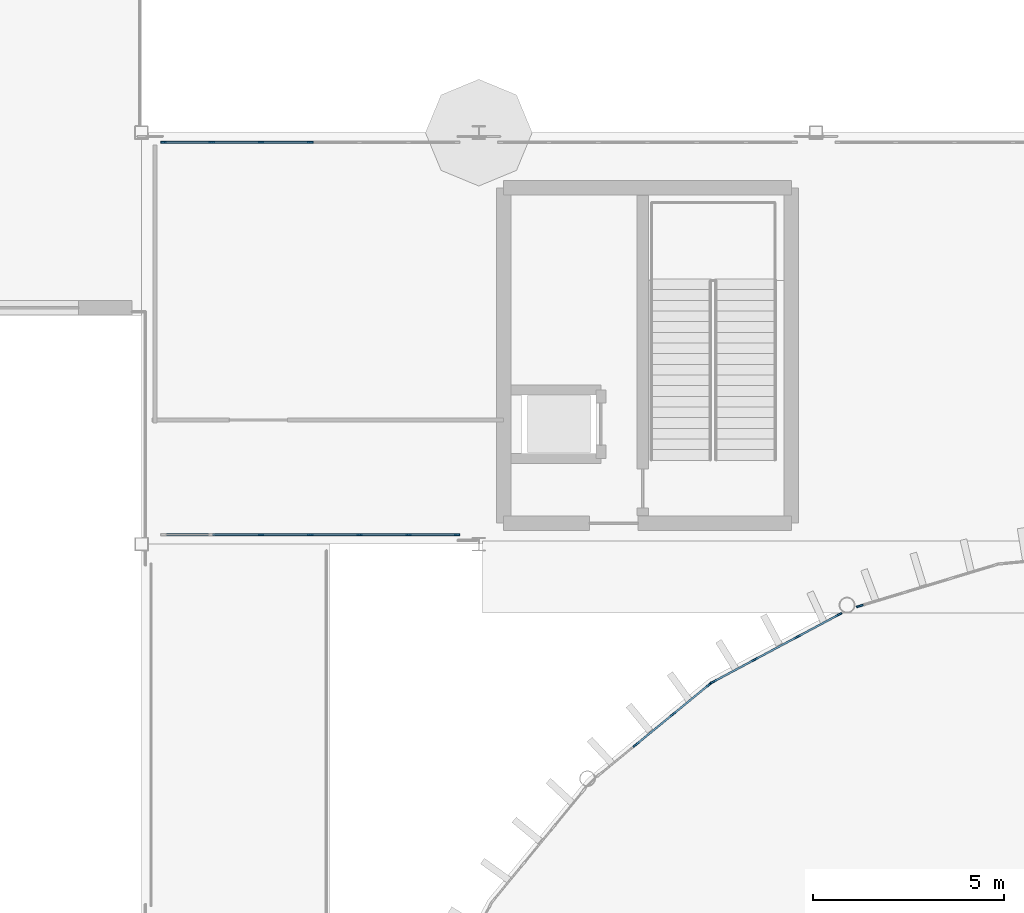
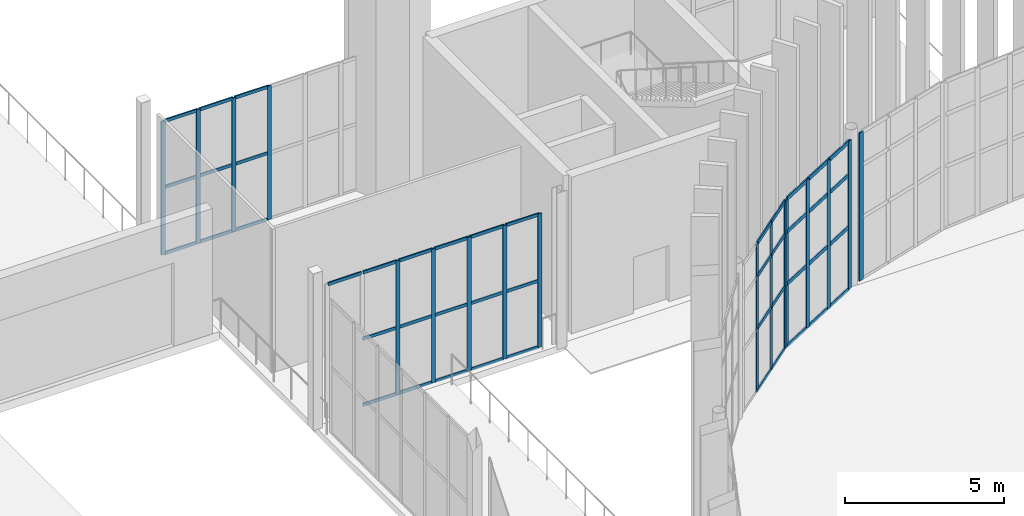
# One storey, part 45 of 139: 62 members, 5 elements without a shape of their own.
"""IFC4 building model written with IfcOpenShell, lengths in metres."""

from ifc_helpers import new_model, si_unit, direction, frame, origin, origin_2d, place, context, subcontext, project, spatial, rectangle, extrude, material, layer, layer_set, material_profile, profile_set, type_object, element, aggregate, save


model = new_model("IFC4")

# Units and contexts
model_context = context("Model", 3, precision=1e-05, world=origin(), true_north=direction((0.0, 1.0)))
body_context = subcontext(model_context, "Body", "Model", "MODEL_VIEW")
ifc_project = project(units=[si_unit("LENGTHUNIT", "METRE"), si_unit("AREAUNIT", "SQUARE_METRE"), si_unit("VOLUMEUNIT", "CUBIC_METRE"), si_unit("PLANEANGLEUNIT", "RADIAN"), si_unit("MASSUNIT", "GRAM", prefix="KILO")], contexts=[model_context])

# Site, building, storey
site_placement = place(None, origin())
site = spatial("IfcSite", under=ifc_project, at=site_placement, CompositionType="ELEMENT")
building_placement = place(site_placement, origin())
building = spatial("IfcBuilding", under=site, at=building_placement, Name="Yeouljin Market Hall", CompositionType="ELEMENT")
storey_placement = place(building_placement, origin())
storey = spatial("IfcBuildingStorey", under=building, at=storey_placement, Name="L00", CompositionType="ELEMENT", Elevation=0.0)

# Curtain wall, members
ifc_material_1 = material(Name="Thermally Broken Aluminium", Category="aluminium")
ifc_layer_1 = layer(ifc_material_1, 0.14990234375)
ifc_layer_set_1 = layer_set([ifc_layer_1], Name="Thermally Broken Aluminium")
curtain_wall_type_1 = type_object("IfcCurtainWallType", Name="CW_WingStorefront_System", PredefinedType="USERDEFINED", material=ifc_layer_set_1)
curtain_wall_1_placement = place(storey_placement, origin())
curtain_wall_1 = element("IfcCurtainWall", 1, at=curtain_wall_1_placement, inside=storey, type_object=curtain_wall_type_1, Name="Curtain wall CW-CRT-L00-01", ObjectType="CURTAIN WALL", PredefinedType="USERDEFINED")
ifc_material_2 = material(Name="Thermally Broken Aluminium", Category="aluminium")
ifc_material_profile_1 = material_profile(ifc_material_2, rectangle(XDim=0.048095703125, YDim=0.14990234375, at=origin_2d()), Name="CW-MULL-48x150")
ifc_profile_set_1 = profile_set([ifc_material_profile_1], Name="Thermally Broken Aluminium")
member_type_1 = type_object("IfcMemberType", Name="CWMullion_48x150", PredefinedType="MULLION", material=ifc_profile_set_1)
member_1_placement = place(storey_placement, frame((9.424072265625, 88.550048828125, 0.0), z_axis=(0.0, 0.0, 1.0), x_axis=(0.0, 1.0, 0.0)))
member_1 = element("IfcMember", 2, at=member_1_placement, type_object=member_type_1, Name="CW-04 mullion 1", PredefinedType="MULLION", context=body_context, shape_type="SweptSolid", body=[
    extrude(rectangle(XDim=0.048095703125, YDim=0.14990234375, at=origin_2d()), origin(), (0.0, 0.0, 1.0), 5.1201171875),
])
member_2_placement = place(storey_placement, frame((10.691650390625, 88.550048828125, 0.0), z_axis=(0.0, 0.0, 1.0), x_axis=(0.0, 1.0, 0.0)))
member_2 = element("IfcMember", 3, at=member_2_placement, type_object=member_type_1, Name="CW-04 mullion 2", PredefinedType="MULLION", context=body_context, shape_type="SweptSolid", body=[
    extrude(rectangle(XDim=0.048095703125, YDim=0.14990234375, at=origin_2d()), origin(), (0.0, 0.0, 1.0), 5.1201171875),
])
member_3_placement = place(storey_placement, frame((11.9833984375, 88.550048828125, 0.0), z_axis=(0.0, 0.0, 1.0), x_axis=(0.0, 1.0, 0.0)))
member_3 = element("IfcMember", 4, at=member_3_placement, type_object=member_type_1, Name="CW-04 mullion 3", PredefinedType="MULLION", context=body_context, shape_type="SweptSolid", body=[
    extrude(rectangle(XDim=0.048095703125, YDim=0.14990234375, at=origin_2d()), origin(), (0.0, 0.0, 1.0), 5.1201171875),
])
member_4_placement = place(storey_placement, frame((13.27490234375, 88.550048828125, 0.0), z_axis=(0.0, 0.0, 1.0), x_axis=(0.0, 1.0, 0.0)))
member_4 = element("IfcMember", 5, at=member_4_placement, type_object=member_type_1, Name="CW-04 mullion 4", PredefinedType="MULLION", context=body_context, shape_type="SweptSolid", body=[
    extrude(rectangle(XDim=0.048095703125, YDim=0.14990234375, at=origin_2d()), origin(), (0.0, 0.0, 1.0), 5.1201171875),
])

curtain_wall_2_placement = place(storey_placement, origin())
curtain_wall_2 = element("IfcCurtainWall", 6, at=curtain_wall_2_placement, inside=storey, type_object=curtain_wall_type_1, Name="Curtain wall CW-CRT-L00-04", ObjectType="CURTAIN WALL", PredefinedType="USERDEFINED")
member_5_placement = place(storey_placement, frame((17.1259765625, 78.25, 0.0), z_axis=(0.0, 0.0, 1.0), x_axis=(0.0, -1.0, 0.0)))
member_5 = element("IfcMember", 7, at=member_5_placement, type_object=member_type_1, Name="CW-04 mullion 1", PredefinedType="MULLION", context=body_context, shape_type="SweptSolid", body=[
    extrude(rectangle(XDim=0.048095703125, YDim=0.14990234375, at=origin_2d()), origin(), (0.0, 0.0, 1.0), 5.1201171875),
])
member_6_placement = place(storey_placement, frame((15.8583984375, 78.25, 0.0), z_axis=(0.0, 0.0, 1.0), x_axis=(0.0, -1.0, 0.0)))
member_6 = element("IfcMember", 8, at=member_6_placement, type_object=member_type_1, Name="CW-04 mullion 2", PredefinedType="MULLION", context=body_context, shape_type="SweptSolid", body=[
    extrude(rectangle(XDim=0.048095703125, YDim=0.14990234375, at=origin_2d()), origin(), (0.0, 0.0, 1.0), 5.1201171875),
])
member_7_placement = place(storey_placement, frame((14.566650390625, 78.25, 0.0), z_axis=(0.0, 0.0, 1.0), x_axis=(0.0, -1.0, 0.0)))
member_7 = element("IfcMember", 9, at=member_7_placement, type_object=member_type_1, Name="CW-04 mullion 3", PredefinedType="MULLION", context=body_context, shape_type="SweptSolid", body=[
    extrude(rectangle(XDim=0.048095703125, YDim=0.14990234375, at=origin_2d()), origin(), (0.0, 0.0, 1.0), 5.1201171875),
])
member_8_placement = place(storey_placement, frame((13.27490234375, 78.25, 0.0), z_axis=(0.0, 0.0, 1.0), x_axis=(0.0, -1.0, 0.0)))
member_8 = element("IfcMember", 10, at=member_8_placement, type_object=member_type_1, Name="CW-04 mullion 4", PredefinedType="MULLION", context=body_context, shape_type="SweptSolid", body=[
    extrude(rectangle(XDim=0.048095703125, YDim=0.14990234375, at=origin_2d()), origin(), (0.0, 0.0, 1.0), 5.1201171875),
])
member_9_placement = place(storey_placement, frame((11.9833984375, 78.25, 0.0), z_axis=(0.0, 0.0, 1.0), x_axis=(0.0, -1.0, 0.0)))
member_9 = element("IfcMember", 11, at=member_9_placement, type_object=member_type_1, Name="CW-04 mullion 5", PredefinedType="MULLION", context=body_context, shape_type="SweptSolid", body=[
    extrude(rectangle(XDim=0.048095703125, YDim=0.14990234375, at=origin_2d()), origin(), (0.0, 0.0, 1.0), 5.1201171875),
])

ifc_material_3 = material(Name="Thermally Broken Aluminium", Category="aluminium")
ifc_layer_2 = layer(ifc_material_3, 0.179931640625)
ifc_layer_set_2 = layer_set([ifc_layer_2], Name="Thermally Broken Aluminium")
curtain_wall_type_2 = type_object("IfcCurtainWallType", Name="CW_ApseCurved_System", PredefinedType="USERDEFINED", material=ifc_layer_set_2)
curtain_wall_3_placement = place(storey_placement, origin())
curtain_wall_3 = element("IfcCurtainWall", 12, at=curtain_wall_3_placement, inside=storey, type_object=curtain_wall_type_2, Name="Curtain wall CW-AP-WL00-13", ObjectType="CURTAIN WALL", PredefinedType="USERDEFINED")
ifc_material_4 = material(Name="Thermally Broken Aluminium", Category="aluminium")
ifc_material_profile_2 = material_profile(ifc_material_4, rectangle(XDim=0.048095703125, YDim=0.179931640625, at=origin_2d()), Name="CW-MULL-48x180")
ifc_profile_set_2 = profile_set([ifc_material_profile_2], Name="Thermally Broken Aluminium")
member_type_2 = type_object("IfcMemberType", Name="CWMullion_48x180", PredefinedType="MULLION", material=ifc_profile_set_2)
member_10_placement = place(storey_placement, frame((21.82421875, 72.739990234375, 0.0), z_axis=(0.0, 0.0, 1.0), x_axis=(-0.634384432096, 0.773017717982, 0.0)))
member_10 = element("IfcMember", 13, at=member_10_placement, type_object=member_type_2, Name="CW-03 mullion 2", PredefinedType="MULLION", context=body_context, shape_type="SweptSolid", body=[
    extrude(rectangle(XDim=0.048095703125, YDim=0.179931640625, at=origin_2d()), origin(), (0.0, 0.0, 1.0), 5.679931640625),
])
member_11_placement = place(storey_placement, frame((22.796630859375, 73.537841796875, 0.0), z_axis=(0.0, 0.0, 1.0), x_axis=(-0.634384432096, 0.773017717982, 0.0)))
member_11 = element("IfcMember", 14, at=member_11_placement, type_object=member_type_2, Name="CW-03 mullion 3", PredefinedType="MULLION", context=body_context, shape_type="SweptSolid", body=[
    extrude(rectangle(XDim=0.048095703125, YDim=0.179931640625, at=origin_2d()), origin(), (0.0, 0.0, 1.0), 5.679931640625),
])
member_12_placement = place(storey_placement, frame((23.750244140625, 74.320556640625, 0.0), z_axis=(0.0, 0.0, 1.0), x_axis=(-0.634384432096, 0.773017717982, 0.0)))
member_12 = element("IfcMember", 15, at=member_12_placement, type_object=member_type_2, Name="CW-03 mullion 4", PredefinedType="MULLION", context=body_context, shape_type="SweptSolid", body=[
    extrude(rectangle(XDim=0.048095703125, YDim=0.179931640625, at=origin_2d()), origin(), (0.0, 0.0, 1.0), 5.679931640625),
])

curtain_wall_4_placement = place(storey_placement, origin())
curtain_wall_4 = element("IfcCurtainWall", 16, at=curtain_wall_4_placement, inside=storey, type_object=curtain_wall_type_2, Name="Curtain wall CW-AP-WL00-14", ObjectType="CURTAIN WALL", PredefinedType="USERDEFINED")
member_13_placement = place(storey_placement, frame((23.856201171875, 74.391357421875, 0.0), z_axis=(0.0, 0.0, 1.0), x_axis=(-0.471377626598, 0.881931478712, 0.0)))
member_13 = element("IfcMember", 17, at=member_13_placement, type_object=member_type_2, Name="CW-03 mullion 1", PredefinedType="MULLION", context=body_context, shape_type="SweptSolid", body=[
    extrude(rectangle(XDim=0.048095703125, YDim=0.179931640625, at=origin_2d()), origin(), (0.0, 0.0, 1.0), 5.679931640625),
])
member_14_placement = place(storey_placement, frame((24.9443359375, 74.972900390625, 0.0), z_axis=(0.0, 0.0, 1.0), x_axis=(-0.471377626598, 0.881931478712, 0.0)))
member_14 = element("IfcMember", 18, at=member_14_placement, type_object=member_type_2, Name="CW-03 mullion 2", PredefinedType="MULLION", context=body_context, shape_type="SweptSolid", body=[
    extrude(rectangle(XDim=0.048095703125, YDim=0.179931640625, at=origin_2d()), origin(), (0.0, 0.0, 1.0), 5.679931640625),
])
member_15_placement = place(storey_placement, frame((26.053466796875, 75.565673828125, 0.0), z_axis=(0.0, 0.0, 1.0), x_axis=(-0.471377626598, 0.881931478712, 0.0)))
member_15 = element("IfcMember", 19, at=member_15_placement, type_object=member_type_2, Name="CW-03 mullion 3", PredefinedType="MULLION", context=body_context, shape_type="SweptSolid", body=[
    extrude(rectangle(XDim=0.048095703125, YDim=0.179931640625, at=origin_2d()), origin(), (0.0, 0.0, 1.0), 5.679931640625),
])
member_16_placement = place(storey_placement, frame((27.1416015625, 76.147216796875, 0.0), z_axis=(0.0, 0.0, 1.0), x_axis=(-0.471377626598, 0.881931478712, 0.0)))
member_16 = element("IfcMember", 20, at=member_16_placement, type_object=member_type_2, Name="CW-03 mullion 4", PredefinedType="MULLION", context=body_context, shape_type="SweptSolid", body=[
    extrude(rectangle(XDim=0.048095703125, YDim=0.179931640625, at=origin_2d()), origin(), (0.0, 0.0, 1.0), 5.679931640625),
])

# Curtain wall, member
curtain_wall_5_placement = place(storey_placement, origin())
curtain_wall_5 = element("IfcCurtainWall", 21, at=curtain_wall_5_placement, inside=storey, type_object=curtain_wall_type_2, Name="Curtain wall CW-AP-WL00-15", ObjectType="CURTAIN WALL", PredefinedType="USERDEFINED")
member_17_placement = place(storey_placement, frame((27.700439453125, 76.37890625, 0.0), z_axis=(0.0, 0.0, 1.0), x_axis=(-0.290286164863, 0.95693988447, 0.0)))
member_17 = element("IfcMember", 22, at=member_17_placement, type_object=member_type_2, Name="CW-03 mullion 1", PredefinedType="MULLION", context=body_context, shape_type="SweptSolid", body=[
    extrude(rectangle(XDim=0.048095703125, YDim=0.179931640625, at=origin_2d()), origin(), (0.0, 0.0, 1.0), 5.679931640625),
])
aggregate(curtain_wall_5, [member_17])

# Member
ifc_material_5 = material(Name="Thermally Broken Aluminium", Category="aluminium")
ifc_material_profile_3 = material_profile(ifc_material_5, rectangle(XDim=0.048095703125, YDim=0.1201171875, at=origin_2d()), Name="CW-TRAN-48x120")
ifc_profile_set_3 = profile_set([ifc_material_profile_3], Name="Thermally Broken Aluminium")
member_type_3 = type_object("IfcMemberType", Name="CWTransom_48x120", PredefinedType="USERDEFINED", material=ifc_profile_set_3)
member_18_placement = place(storey_placement, frame((9.447998046875, 88.550048828125, 0.02392578125), z_axis=(1.0, 0.0, 0.0), x_axis=(0.0, 1.0, 0.0)))
member_18 = element("IfcMember", 23, at=member_18_placement, type_object=member_type_3, Name="CW-04 transom 1.1", ObjectType="TRANSOM", PredefinedType="USERDEFINED", context=body_context, shape_type="SweptSolid", body=[
    extrude(rectangle(XDim=0.048095703125, YDim=0.1201171875, at=origin_2d()), origin(), (0.0, 0.0, 1.0), 1.2197265625),
])

member_19_placement = place(storey_placement, frame((9.447998046875, 88.550048828125, 2.56005859375), z_axis=(1.0, 0.0, 0.0), x_axis=(0.0, 1.0, 0.0)))
member_19 = element("IfcMember", 24, at=member_19_placement, type_object=member_type_3, Name="CW-04 transom 1.2", ObjectType="TRANSOM", PredefinedType="USERDEFINED", context=body_context, shape_type="SweptSolid", body=[
    extrude(rectangle(XDim=0.048095703125, YDim=0.1201171875, at=origin_2d()), origin(), (0.0, 0.0, 1.0), 1.2197265625),
])

member_20_placement = place(storey_placement, frame((9.447998046875, 88.550048828125, 5.095947265625), z_axis=(1.0, 0.0, 0.0), x_axis=(0.0, 1.0, 0.0)))
member_20 = element("IfcMember", 25, at=member_20_placement, type_object=member_type_3, Name="CW-04 transom 1.3", ObjectType="TRANSOM", PredefinedType="USERDEFINED", context=body_context, shape_type="SweptSolid", body=[
    extrude(rectangle(XDim=0.048095703125, YDim=0.1201171875, at=origin_2d()), origin(), (0.0, 0.0, 1.0), 1.2197265625),
])

member_21_placement = place(storey_placement, frame((10.715576171875, 88.550048828125, 0.02392578125), z_axis=(1.0, 0.0, 0.0), x_axis=(0.0, 1.0, 0.0)))
member_21 = element("IfcMember", 26, at=member_21_placement, type_object=member_type_3, Name="CW-04 transom 2.1", ObjectType="TRANSOM", PredefinedType="USERDEFINED", context=body_context, shape_type="SweptSolid", body=[
    extrude(rectangle(XDim=0.048095703125, YDim=0.1201171875, at=origin_2d()), origin(), (0.0, 0.0, 1.0), 1.24365234375),
])

member_22_placement = place(storey_placement, frame((10.715576171875, 88.550048828125, 2.56005859375), z_axis=(1.0, 0.0, 0.0), x_axis=(0.0, 1.0, 0.0)))
member_22 = element("IfcMember", 27, at=member_22_placement, type_object=member_type_3, Name="CW-04 transom 2.2", ObjectType="TRANSOM", PredefinedType="USERDEFINED", context=body_context, shape_type="SweptSolid", body=[
    extrude(rectangle(XDim=0.048095703125, YDim=0.1201171875, at=origin_2d()), origin(), (0.0, 0.0, 1.0), 1.24365234375),
])

member_23_placement = place(storey_placement, frame((10.715576171875, 88.550048828125, 5.095947265625), z_axis=(1.0, 0.0, 0.0), x_axis=(0.0, 1.0, 0.0)))
member_23 = element("IfcMember", 28, at=member_23_placement, type_object=member_type_3, Name="CW-04 transom 2.3", ObjectType="TRANSOM", PredefinedType="USERDEFINED", context=body_context, shape_type="SweptSolid", body=[
    extrude(rectangle(XDim=0.048095703125, YDim=0.1201171875, at=origin_2d()), origin(), (0.0, 0.0, 1.0), 1.24365234375),
])

member_24_placement = place(storey_placement, frame((12.00732421875, 88.550048828125, 0.02392578125), z_axis=(1.0, 0.0, 0.0), x_axis=(0.0, 1.0, 0.0)))
member_24 = element("IfcMember", 29, at=member_24_placement, type_object=member_type_3, Name="CW-04 transom 3.1", ObjectType="TRANSOM", PredefinedType="USERDEFINED", context=body_context, shape_type="SweptSolid", body=[
    extrude(rectangle(XDim=0.048095703125, YDim=0.1201171875, at=origin_2d()), origin(), (0.0, 0.0, 1.0), 1.24365234375),
])

member_25_placement = place(storey_placement, frame((12.00732421875, 88.550048828125, 2.56005859375), z_axis=(1.0, 0.0, 0.0), x_axis=(0.0, 1.0, 0.0)))
member_25 = element("IfcMember", 30, at=member_25_placement, type_object=member_type_3, Name="CW-04 transom 3.2", ObjectType="TRANSOM", PredefinedType="USERDEFINED", context=body_context, shape_type="SweptSolid", body=[
    extrude(rectangle(XDim=0.048095703125, YDim=0.1201171875, at=origin_2d()), origin(), (0.0, 0.0, 1.0), 1.24365234375),
])

member_26_placement = place(storey_placement, frame((12.00732421875, 88.550048828125, 5.095947265625), z_axis=(1.0, 0.0, 0.0), x_axis=(0.0, 1.0, 0.0)))
member_26 = element("IfcMember", 31, at=member_26_placement, type_object=member_type_3, Name="CW-04 transom 3.3", ObjectType="TRANSOM", PredefinedType="USERDEFINED", context=body_context, shape_type="SweptSolid", body=[
    extrude(rectangle(XDim=0.048095703125, YDim=0.1201171875, at=origin_2d()), origin(), (0.0, 0.0, 1.0), 1.24365234375),
])

aggregate(curtain_wall_1, [member_1, member_2, member_3, member_4, member_18, member_19, member_20, member_21, member_22, member_23, member_24, member_25, member_26])

member_27_placement = place(storey_placement, frame((17.10205078125, 78.25, 0.02392578125), z_axis=(-1.0, 0.0, 0.0), x_axis=(0.0, -1.0, 0.0)))
member_27 = element("IfcMember", 32, at=member_27_placement, type_object=member_type_3, Name="CW-04 transom 1.1", ObjectType="TRANSOM", PredefinedType="USERDEFINED", context=body_context, shape_type="SweptSolid", body=[
    extrude(rectangle(XDim=0.048095703125, YDim=0.1201171875, at=origin_2d()), origin(), (0.0, 0.0, 1.0), 1.2197265625),
])

member_28_placement = place(storey_placement, frame((17.10205078125, 78.25, 2.56005859375), z_axis=(-1.0, 0.0, 0.0), x_axis=(0.0, -1.0, 0.0)))
member_28 = element("IfcMember", 33, at=member_28_placement, type_object=member_type_3, Name="CW-04 transom 1.2", ObjectType="TRANSOM", PredefinedType="USERDEFINED", context=body_context, shape_type="SweptSolid", body=[
    extrude(rectangle(XDim=0.048095703125, YDim=0.1201171875, at=origin_2d()), origin(), (0.0, 0.0, 1.0), 1.2197265625),
])

member_29_placement = place(storey_placement, frame((17.10205078125, 78.25, 5.095947265625), z_axis=(-1.0, 0.0, 0.0), x_axis=(0.0, -1.0, 0.0)))
member_29 = element("IfcMember", 34, at=member_29_placement, type_object=member_type_3, Name="CW-04 transom 1.3", ObjectType="TRANSOM", PredefinedType="USERDEFINED", context=body_context, shape_type="SweptSolid", body=[
    extrude(rectangle(XDim=0.048095703125, YDim=0.1201171875, at=origin_2d()), origin(), (0.0, 0.0, 1.0), 1.2197265625),
])

member_30_placement = place(storey_placement, frame((15.834228515625, 78.25, 0.02392578125), z_axis=(-1.0, 0.0, 0.0), x_axis=(0.0, -1.0, 0.0)))
member_30 = element("IfcMember", 35, at=member_30_placement, type_object=member_type_3, Name="CW-04 transom 2.1", ObjectType="TRANSOM", PredefinedType="USERDEFINED", context=body_context, shape_type="SweptSolid", body=[
    extrude(rectangle(XDim=0.048095703125, YDim=0.1201171875, at=origin_2d()), origin(), (0.0, 0.0, 1.0), 1.24365234375),
])

member_31_placement = place(storey_placement, frame((15.834228515625, 78.25, 2.56005859375), z_axis=(-1.0, 0.0, 0.0), x_axis=(0.0, -1.0, 0.0)))
member_31 = element("IfcMember", 36, at=member_31_placement, type_object=member_type_3, Name="CW-04 transom 2.2", ObjectType="TRANSOM", PredefinedType="USERDEFINED", context=body_context, shape_type="SweptSolid", body=[
    extrude(rectangle(XDim=0.048095703125, YDim=0.1201171875, at=origin_2d()), origin(), (0.0, 0.0, 1.0), 1.24365234375),
])

member_32_placement = place(storey_placement, frame((15.834228515625, 78.25, 5.095947265625), z_axis=(-1.0, 0.0, 0.0), x_axis=(0.0, -1.0, 0.0)))
member_32 = element("IfcMember", 37, at=member_32_placement, type_object=member_type_3, Name="CW-04 transom 2.3", ObjectType="TRANSOM", PredefinedType="USERDEFINED", context=body_context, shape_type="SweptSolid", body=[
    extrude(rectangle(XDim=0.048095703125, YDim=0.1201171875, at=origin_2d()), origin(), (0.0, 0.0, 1.0), 1.24365234375),
])

member_33_placement = place(storey_placement, frame((14.542724609375, 78.25, 0.02392578125), z_axis=(-1.0, 0.0, 0.0), x_axis=(0.0, -1.0, 0.0)))
member_33 = element("IfcMember", 38, at=member_33_placement, type_object=member_type_3, Name="CW-04 transom 3.1", ObjectType="TRANSOM", PredefinedType="USERDEFINED", context=body_context, shape_type="SweptSolid", body=[
    extrude(rectangle(XDim=0.048095703125, YDim=0.1201171875, at=origin_2d()), origin(), (0.0, 0.0, 1.0), 1.24365234375),
])

member_34_placement = place(storey_placement, frame((14.542724609375, 78.25, 2.56005859375), z_axis=(-1.0, 0.0, 0.0), x_axis=(0.0, -1.0, 0.0)))
member_34 = element("IfcMember", 39, at=member_34_placement, type_object=member_type_3, Name="CW-04 transom 3.2", ObjectType="TRANSOM", PredefinedType="USERDEFINED", context=body_context, shape_type="SweptSolid", body=[
    extrude(rectangle(XDim=0.048095703125, YDim=0.1201171875, at=origin_2d()), origin(), (0.0, 0.0, 1.0), 1.24365234375),
])

member_35_placement = place(storey_placement, frame((14.542724609375, 78.25, 5.095947265625), z_axis=(-1.0, 0.0, 0.0), x_axis=(0.0, -1.0, 0.0)))
member_35 = element("IfcMember", 40, at=member_35_placement, type_object=member_type_3, Name="CW-04 transom 3.3", ObjectType="TRANSOM", PredefinedType="USERDEFINED", context=body_context, shape_type="SweptSolid", body=[
    extrude(rectangle(XDim=0.048095703125, YDim=0.1201171875, at=origin_2d()), origin(), (0.0, 0.0, 1.0), 1.24365234375),
])

member_36_placement = place(storey_placement, frame((13.2509765625, 78.25, 0.02392578125), z_axis=(-1.0, 0.0, 0.0), x_axis=(0.0, -1.0, 0.0)))
member_36 = element("IfcMember", 41, at=member_36_placement, type_object=member_type_3, Name="CW-04 transom 4.1", ObjectType="TRANSOM", PredefinedType="USERDEFINED", context=body_context, shape_type="SweptSolid", body=[
    extrude(rectangle(XDim=0.048095703125, YDim=0.1201171875, at=origin_2d()), origin(), (0.0, 0.0, 1.0), 1.24365234375),
])

member_37_placement = place(storey_placement, frame((13.2509765625, 78.25, 2.56005859375), z_axis=(-1.0, 0.0, 0.0), x_axis=(0.0, -1.0, 0.0)))
member_37 = element("IfcMember", 42, at=member_37_placement, type_object=member_type_3, Name="CW-04 transom 4.2", ObjectType="TRANSOM", PredefinedType="USERDEFINED", context=body_context, shape_type="SweptSolid", body=[
    extrude(rectangle(XDim=0.048095703125, YDim=0.1201171875, at=origin_2d()), origin(), (0.0, 0.0, 1.0), 1.24365234375),
])

member_38_placement = place(storey_placement, frame((13.2509765625, 78.25, 5.095947265625), z_axis=(-1.0, 0.0, 0.0), x_axis=(0.0, -1.0, 0.0)))
member_38 = element("IfcMember", 43, at=member_38_placement, type_object=member_type_3, Name="CW-04 transom 4.3", ObjectType="TRANSOM", PredefinedType="USERDEFINED", context=body_context, shape_type="SweptSolid", body=[
    extrude(rectangle(XDim=0.048095703125, YDim=0.1201171875, at=origin_2d()), origin(), (0.0, 0.0, 1.0), 1.24365234375),
])

member_39_placement = place(storey_placement, frame((11.959228515625, 78.25, 0.02392578125), z_axis=(-1.0, 0.0, 0.0), x_axis=(0.0, -1.0, 0.0)))
member_39 = element("IfcMember", 44, at=member_39_placement, type_object=member_type_3, Name="CW-04 transom 5.1", ObjectType="TRANSOM", PredefinedType="USERDEFINED", context=body_context, shape_type="SweptSolid", body=[
    extrude(rectangle(XDim=0.048095703125, YDim=0.1201171875, at=origin_2d()), origin(), (0.0, 0.0, 1.0), 1.24365234375),
])

member_40_placement = place(storey_placement, frame((11.959228515625, 78.25, 2.56005859375), z_axis=(-1.0, 0.0, 0.0), x_axis=(0.0, -1.0, 0.0)))
member_40 = element("IfcMember", 45, at=member_40_placement, type_object=member_type_3, Name="CW-04 transom 5.2", ObjectType="TRANSOM", PredefinedType="USERDEFINED", context=body_context, shape_type="SweptSolid", body=[
    extrude(rectangle(XDim=0.048095703125, YDim=0.1201171875, at=origin_2d()), origin(), (0.0, 0.0, 1.0), 1.24365234375),
])

member_41_placement = place(storey_placement, frame((11.959228515625, 78.25, 5.095947265625), z_axis=(-1.0, 0.0, 0.0), x_axis=(0.0, -1.0, 0.0)))
member_41 = element("IfcMember", 46, at=member_41_placement, type_object=member_type_3, Name="CW-04 transom 5.3", ObjectType="TRANSOM", PredefinedType="USERDEFINED", context=body_context, shape_type="SweptSolid", body=[
    extrude(rectangle(XDim=0.048095703125, YDim=0.1201171875, at=origin_2d()), origin(), (0.0, 0.0, 1.0), 1.24365234375),
])

member_42_placement = place(storey_placement, frame((10.667724609375, 78.25, 5.095947265625), z_axis=(-1.0, 0.0, 0.0), x_axis=(0.0, -1.0, 0.0)))
member_42 = element("IfcMember", 47, at=member_42_placement, type_object=member_type_3, Name="CW-04 transom 6.3", ObjectType="TRANSOM", PredefinedType="USERDEFINED", context=body_context, shape_type="SweptSolid", body=[
    extrude(rectangle(XDim=0.048095703125, YDim=0.1201171875, at=origin_2d()), origin(), (0.0, 0.0, 1.0), 1.2197265625),
])

aggregate(curtain_wall_2, [member_5, member_6, member_7, member_8, member_9, member_27, member_28, member_29, member_30, member_31, member_32, member_33, member_34, member_35, member_36, member_37, member_38, member_39, member_40, member_41, member_42])

ifc_material_6 = material(Name="Thermally Broken Aluminium", Category="aluminium")
ifc_material_profile_4 = material_profile(ifc_material_6, rectangle(XDim=0.048095703125, YDim=0.14990234375, at=origin_2d()), Name="CW-TRAN-48x150")
ifc_profile_set_4 = profile_set([ifc_material_profile_4], Name="Thermally Broken Aluminium")
member_type_4 = type_object("IfcMemberType", Name="CWTransom_48x150", PredefinedType="USERDEFINED", material=ifc_profile_set_4)
member_43_placement = place(storey_placement, frame((21.8427734375, 72.755126953125, 0.02392578125), z_axis=(0.773111430371, 0.634270223351, 0.0), x_axis=(-0.634270223351, 0.773111430371, 0.0)))
member_43 = element("IfcMember", 48, at=member_43_placement, type_object=member_type_4, Name="CW-03 transom 2.1", ObjectType="TRANSOM", PredefinedType="USERDEFINED", context=body_context, shape_type="SweptSolid", body=[
    extrude(rectangle(XDim=0.048095703125, YDim=0.14990234375, at=origin_2d()), origin(), (0.0, 0.0, 1.0), 1.209716796875),
])

member_44_placement = place(storey_placement, frame((21.8427734375, 72.755126953125, 2.39990234375), z_axis=(0.773111430371, 0.634270223351, 0.0), x_axis=(-0.634270223351, 0.773111430371, 0.0)))
member_44 = element("IfcMember", 49, at=member_44_placement, type_object=member_type_4, Name="CW-03 transom 2.2", ObjectType="TRANSOM", PredefinedType="USERDEFINED", context=body_context, shape_type="SweptSolid", body=[
    extrude(rectangle(XDim=0.048095703125, YDim=0.14990234375, at=origin_2d()), origin(), (0.0, 0.0, 1.0), 1.209716796875),
])

member_45_placement = place(storey_placement, frame((21.8427734375, 72.755126953125, 4.39990234375), z_axis=(0.773111430371, 0.634270223351, 0.0), x_axis=(-0.634270223351, 0.773111430371, 0.0)))
member_45 = element("IfcMember", 50, at=member_45_placement, type_object=member_type_4, Name="CW-03 transom 2.3", ObjectType="TRANSOM", PredefinedType="USERDEFINED", context=body_context, shape_type="SweptSolid", body=[
    extrude(rectangle(XDim=0.048095703125, YDim=0.14990234375, at=origin_2d()), origin(), (0.0, 0.0, 1.0), 1.209716796875),
])

member_46_placement = place(storey_placement, frame((21.8427734375, 72.755126953125, 5.656005859375), z_axis=(0.773111430371, 0.634270223351, 0.0), x_axis=(-0.634270223351, 0.773111430371, 0.0)))
member_46 = element("IfcMember", 51, at=member_46_placement, type_object=member_type_4, Name="CW-03 transom 2.4", ObjectType="TRANSOM", PredefinedType="USERDEFINED", context=body_context, shape_type="SweptSolid", body=[
    extrude(rectangle(XDim=0.048095703125, YDim=0.14990234375, at=origin_2d()), origin(), (0.0, 0.0, 1.0), 1.209716796875),
])

member_47_placement = place(storey_placement, frame((22.815185546875, 73.552978515625, 0.02392578125), z_axis=(0.77299310317, 0.634414424845, 0.0), x_axis=(-0.634414424845, 0.77299310317, 0.0)))
member_47 = element("IfcMember", 52, at=member_47_placement, type_object=member_type_4, Name="CW-03 transom 3.1", ObjectType="TRANSOM", PredefinedType="USERDEFINED", context=body_context, shape_type="SweptSolid", body=[
    extrude(rectangle(XDim=0.048095703125, YDim=0.14990234375, at=origin_2d()), origin(), (0.0, 0.0, 1.0), 1.185546875),
])

member_48_placement = place(storey_placement, frame((22.815185546875, 73.552978515625, 2.39990234375), z_axis=(0.77299310317, 0.634414424845, 0.0), x_axis=(-0.634414424845, 0.77299310317, 0.0)))
member_48 = element("IfcMember", 53, at=member_48_placement, type_object=member_type_4, Name="CW-03 transom 3.2", ObjectType="TRANSOM", PredefinedType="USERDEFINED", context=body_context, shape_type="SweptSolid", body=[
    extrude(rectangle(XDim=0.048095703125, YDim=0.14990234375, at=origin_2d()), origin(), (0.0, 0.0, 1.0), 1.185546875),
])

member_49_placement = place(storey_placement, frame((22.815185546875, 73.552978515625, 4.39990234375), z_axis=(0.77299310317, 0.634414424845, 0.0), x_axis=(-0.634414424845, 0.77299310317, 0.0)))
member_49 = element("IfcMember", 54, at=member_49_placement, type_object=member_type_4, Name="CW-03 transom 3.3", ObjectType="TRANSOM", PredefinedType="USERDEFINED", context=body_context, shape_type="SweptSolid", body=[
    extrude(rectangle(XDim=0.048095703125, YDim=0.14990234375, at=origin_2d()), origin(), (0.0, 0.0, 1.0), 1.185546875),
])

member_50_placement = place(storey_placement, frame((22.815185546875, 73.552978515625, 5.656005859375), z_axis=(0.77299310317, 0.634414424845, 0.0), x_axis=(-0.634414424845, 0.77299310317, 0.0)))
member_50 = element("IfcMember", 55, at=member_50_placement, type_object=member_type_4, Name="CW-03 transom 3.4", ObjectType="TRANSOM", PredefinedType="USERDEFINED", context=body_context, shape_type="SweptSolid", body=[
    extrude(rectangle(XDim=0.048095703125, YDim=0.14990234375, at=origin_2d()), origin(), (0.0, 0.0, 1.0), 1.185546875),
])

aggregate(curtain_wall_3, [member_10, member_11, member_12, member_43, member_44, member_45, member_46, member_47, member_48, member_49, member_50])

member_51_placement = place(storey_placement, frame((23.87744140625, 74.402587890625, 0.02392578125), z_axis=(0.881862296401, 0.471507041503, 0.0), x_axis=(-0.471507041503, 0.881862296401, 0.0)))
member_51 = element("IfcMember", 56, at=member_51_placement, type_object=member_type_4, Name="CW-03 transom 1.1", ObjectType="TRANSOM", PredefinedType="USERDEFINED", context=body_context, shape_type="SweptSolid", body=[
    extrude(rectangle(XDim=0.048095703125, YDim=0.14990234375, at=origin_2d()), origin(), (0.0, 0.0, 1.0), 1.185791015625),
])

member_52_placement = place(storey_placement, frame((23.87744140625, 74.402587890625, 2.39990234375), z_axis=(0.881862296401, 0.471507041503, 0.0), x_axis=(-0.471507041503, 0.881862296401, 0.0)))
member_52 = element("IfcMember", 57, at=member_52_placement, type_object=member_type_4, Name="CW-03 transom 1.2", ObjectType="TRANSOM", PredefinedType="USERDEFINED", context=body_context, shape_type="SweptSolid", body=[
    extrude(rectangle(XDim=0.048095703125, YDim=0.14990234375, at=origin_2d()), origin(), (0.0, 0.0, 1.0), 1.185791015625),
])

member_53_placement = place(storey_placement, frame((23.87744140625, 74.402587890625, 4.39990234375), z_axis=(0.881862296401, 0.471507041503, 0.0), x_axis=(-0.471507041503, 0.881862296401, 0.0)))
member_53 = element("IfcMember", 58, at=member_53_placement, type_object=member_type_4, Name="CW-03 transom 1.3", ObjectType="TRANSOM", PredefinedType="USERDEFINED", context=body_context, shape_type="SweptSolid", body=[
    extrude(rectangle(XDim=0.048095703125, YDim=0.14990234375, at=origin_2d()), origin(), (0.0, 0.0, 1.0), 1.185791015625),
])

member_54_placement = place(storey_placement, frame((23.87744140625, 74.402587890625, 5.656005859375), z_axis=(0.881862296401, 0.471507041503, 0.0), x_axis=(-0.471507041503, 0.881862296401, 0.0)))
member_54 = element("IfcMember", 59, at=member_54_placement, type_object=member_type_4, Name="CW-03 transom 1.4", ObjectType="TRANSOM", PredefinedType="USERDEFINED", context=body_context, shape_type="SweptSolid", body=[
    extrude(rectangle(XDim=0.048095703125, YDim=0.14990234375, at=origin_2d()), origin(), (0.0, 0.0, 1.0), 1.185791015625),
])

member_55_placement = place(storey_placement, frame((24.96533203125, 74.984130859375, 0.02392578125), z_axis=(0.881905630458, 0.471425984611, 0.0), x_axis=(-0.471425984611, 0.881905630458, 0.0)))
member_55 = element("IfcMember", 60, at=member_55_placement, type_object=member_type_4, Name="CW-03 transom 2.1", ObjectType="TRANSOM", PredefinedType="USERDEFINED", context=body_context, shape_type="SweptSolid", body=[
    extrude(rectangle(XDim=0.048095703125, YDim=0.14990234375, at=origin_2d()), origin(), (0.0, 0.0, 1.0), 1.209716796875),
])

member_56_placement = place(storey_placement, frame((24.96533203125, 74.984130859375, 2.39990234375), z_axis=(0.881905630458, 0.471425984611, 0.0), x_axis=(-0.471425984611, 0.881905630458, 0.0)))
member_56 = element("IfcMember", 61, at=member_56_placement, type_object=member_type_4, Name="CW-03 transom 2.2", ObjectType="TRANSOM", PredefinedType="USERDEFINED", context=body_context, shape_type="SweptSolid", body=[
    extrude(rectangle(XDim=0.048095703125, YDim=0.14990234375, at=origin_2d()), origin(), (0.0, 0.0, 1.0), 1.209716796875),
])

member_57_placement = place(storey_placement, frame((24.96533203125, 74.984130859375, 4.39990234375), z_axis=(0.881905630458, 0.471425984611, 0.0), x_axis=(-0.471425984611, 0.881905630458, 0.0)))
member_57 = element("IfcMember", 62, at=member_57_placement, type_object=member_type_4, Name="CW-03 transom 2.3", ObjectType="TRANSOM", PredefinedType="USERDEFINED", context=body_context, shape_type="SweptSolid", body=[
    extrude(rectangle(XDim=0.048095703125, YDim=0.14990234375, at=origin_2d()), origin(), (0.0, 0.0, 1.0), 1.209716796875),
])

member_58_placement = place(storey_placement, frame((24.96533203125, 74.984130859375, 5.656005859375), z_axis=(0.881905630458, 0.471425984611, 0.0), x_axis=(-0.471425984611, 0.881905630458, 0.0)))
member_58 = element("IfcMember", 63, at=member_58_placement, type_object=member_type_4, Name="CW-03 transom 2.4", ObjectType="TRANSOM", PredefinedType="USERDEFINED", context=body_context, shape_type="SweptSolid", body=[
    extrude(rectangle(XDim=0.048095703125, YDim=0.14990234375, at=origin_2d()), origin(), (0.0, 0.0, 1.0), 1.209716796875),
])

member_59_placement = place(storey_placement, frame((26.07470703125, 75.5771484375, 0.02392578125), z_axis=(0.881947903555, 0.471346894989, 0.0), x_axis=(-0.471346894989, 0.881947903555, 0.0)))
member_59 = element("IfcMember", 64, at=member_59_placement, type_object=member_type_4, Name="CW-03 transom 3.1", ObjectType="TRANSOM", PredefinedType="USERDEFINED", context=body_context, shape_type="SweptSolid", body=[
    extrude(rectangle(XDim=0.048095703125, YDim=0.14990234375, at=origin_2d()), origin(), (0.0, 0.0, 1.0), 1.185546875),
])

member_60_placement = place(storey_placement, frame((26.07470703125, 75.5771484375, 2.39990234375), z_axis=(0.881947903555, 0.471346894989, 0.0), x_axis=(-0.471346894989, 0.881947903555, 0.0)))
member_60 = element("IfcMember", 65, at=member_60_placement, type_object=member_type_4, Name="CW-03 transom 3.2", ObjectType="TRANSOM", PredefinedType="USERDEFINED", context=body_context, shape_type="SweptSolid", body=[
    extrude(rectangle(XDim=0.048095703125, YDim=0.14990234375, at=origin_2d()), origin(), (0.0, 0.0, 1.0), 1.185546875),
])

member_61_placement = place(storey_placement, frame((26.07470703125, 75.5771484375, 4.39990234375), z_axis=(0.881947903555, 0.471346894989, 0.0), x_axis=(-0.471346894989, 0.881947903555, 0.0)))
member_61 = element("IfcMember", 66, at=member_61_placement, type_object=member_type_4, Name="CW-03 transom 3.3", ObjectType="TRANSOM", PredefinedType="USERDEFINED", context=body_context, shape_type="SweptSolid", body=[
    extrude(rectangle(XDim=0.048095703125, YDim=0.14990234375, at=origin_2d()), origin(), (0.0, 0.0, 1.0), 1.185546875),
])

member_62_placement = place(storey_placement, frame((26.07470703125, 75.5771484375, 5.656005859375), z_axis=(0.881947903555, 0.471346894989, 0.0), x_axis=(-0.471346894989, 0.881947903555, 0.0)))
member_62 = element("IfcMember", 67, at=member_62_placement, type_object=member_type_4, Name="CW-03 transom 3.4", ObjectType="TRANSOM", PredefinedType="USERDEFINED", context=body_context, shape_type="SweptSolid", body=[
    extrude(rectangle(XDim=0.048095703125, YDim=0.14990234375, at=origin_2d()), origin(), (0.0, 0.0, 1.0), 1.185546875),
])

aggregate(curtain_wall_4, [member_13, member_14, member_15, member_16, member_51, member_52, member_53, member_54, member_55, member_56, member_57, member_58, member_59, member_60, member_61, member_62])

save(model, "model.ifc")
